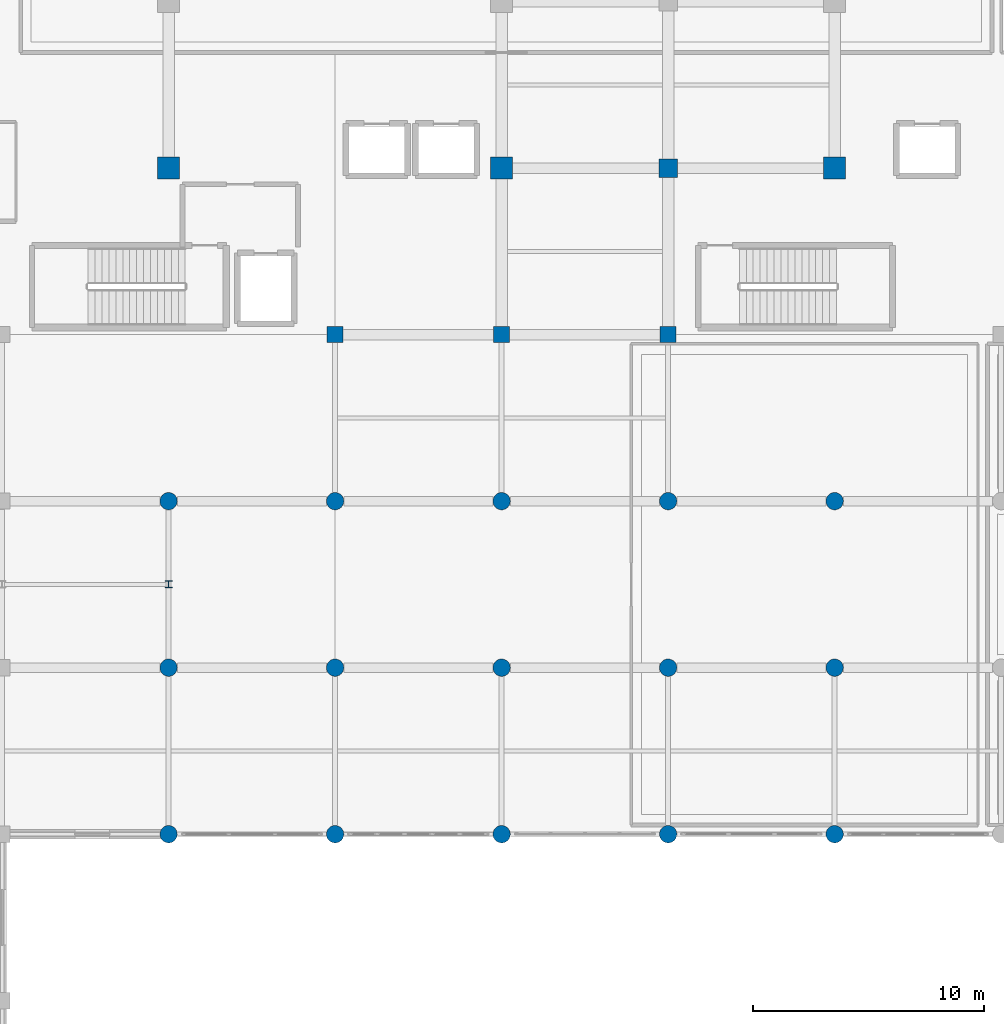
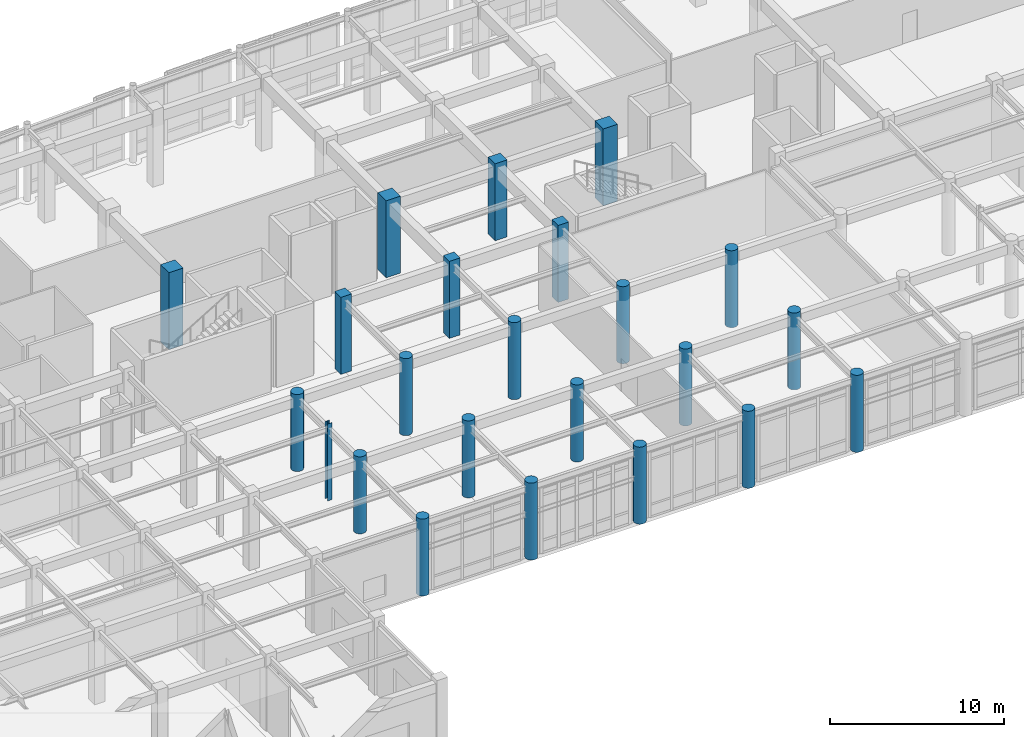
# One storey, part 9 of 102: 23 columns.
"""IFC4 building model written with IfcOpenShell, lengths in metres."""

import ifcopenshell
import ifcopenshell.guid

model = None  # the IFC model being written
_history = None  # IfcOwnerHistory: only IFC2X3 demands one
_inside = {}  # id of a spatial element -> (the spatial element, [elements in it])
_under = {}  # id of a project, library or spatial element -> (it, [spatial elements below it])
_declared = {}  # id of a project -> (the project, [libraries it declares])
_typed = {}  # id of a type object -> (the type object, [elements of that type])
_made_of = {}  # id of a material, layer set ... -> (it, [elements and type objects made of it])


def new_model(schema):
    """Start an empty IFC model of exactly this schema.

    Asked for "IFC4X3", IfcOpenShell would pick the latest addendum, in which some entities
    have other attributes; the version numbers below select the first issue.
    IFC2X3 requires an IfcOwnerHistory on every rooted entity: one is made here for all.
    """
    global model, _history
    if schema == "IFC4X3":
        model = ifcopenshell.file(schema_version=(4, 3, 0, 0))
    else:
        model = ifcopenshell.file(schema=schema)
    _inside.clear()
    _under.clear()
    _declared.clear()
    _typed.clear()
    _made_of.clear()
    _history = None
    if model.schema == "IFC2X3":
        org = make("IfcOrganization", Name="unknown")
        user = make(
            "IfcPersonAndOrganization",
            ThePerson=make("IfcPerson", FamilyName="unknown"),
            TheOrganization=org,
        )
        app = make(
            "IfcApplication",
            ApplicationDeveloper=org,
            Version="unknown",
            ApplicationFullName="unknown",
            ApplicationIdentifier="unknown",
        )
        _history = make(
            "IfcOwnerHistory",
            OwningUser=user,
            OwningApplication=app,
            ChangeAction="ADDED",
            CreationDate=0,
        )
    return model


def make(cls, **values):
    """One entity of the class cls with the attributes given. An attribute that is None is left unset."""
    return model.create_entity(
        cls, **{name: value for name, value in values.items() if value is not None}
    )


def rooted(cls, **values):
    """An entity with a GlobalId (a new one), such as an element, a storey or a relation."""
    return make(cls, GlobalId=ifcopenshell.guid.new(), OwnerHistory=_history, **values)


def si_unit(unit_type, name, prefix=None):
    """IfcSIUnit, for example si_unit("LENGTHUNIT", "METRE", prefix="MILLI")."""
    return make("IfcSIUnit", UnitType=unit_type, Prefix=prefix, Name=name)


def assignment(units):
    """IfcUnitAssignment: the units of a project."""
    return None if units is None else make("IfcUnitAssignment", Units=units)


def point(xyz):
    """IfcCartesianPoint."""
    return None if xyz is None else make("IfcCartesianPoint", Coordinates=xyz)


def direction(xyz):
    """IfcDirection."""
    return None if xyz is None else make("IfcDirection", DirectionRatios=xyz)


def frame(location, z_axis=None, x_axis=None):
    """IfcAxis2Placement3D, a coordinate frame: its origin and axes. An axis left out is left unset."""
    return make(
        "IfcAxis2Placement3D",
        Location=point(location),
        Axis=direction(z_axis),
        RefDirection=direction(x_axis),
    )


def frame_2d(location, x_axis=None):
    """IfcAxis2Placement2D, a coordinate frame in the plane: its origin and x axis."""
    return make(
        "IfcAxis2Placement2D", Location=point(location), RefDirection=direction(x_axis)
    )


def origin():
    """The frame at (0, 0, 0) with its axes left unset."""
    return frame((0.0, 0.0, 0.0))


def origin_2d():
    """The frame at (0, 0) in the plane with its x axis left unset."""
    return frame_2d((0.0, 0.0))


def place(relative_to, where):
    """IfcLocalPlacement: puts the frame where relative to a parent placement (None: the world)."""
    return make(
        "IfcLocalPlacement", PlacementRelTo=relative_to, RelativePlacement=where
    )


def context(
    kind, dimensions, precision=None, world=None, true_north=None, identifier=None
):
    """IfcGeometricRepresentationContext, for example the 3D "Model" context."""
    return make(
        "IfcGeometricRepresentationContext",
        ContextIdentifier=identifier,
        ContextType=kind,
        CoordinateSpaceDimension=dimensions,
        Precision=precision,
        WorldCoordinateSystem=world,
        TrueNorth=true_north,
    )


def subcontext(parent, identifier, kind, view, scale=None):
    """IfcGeometricRepresentationSubContext, for example "Body" below "Model"."""
    return make(
        "IfcGeometricRepresentationSubContext",
        ContextIdentifier=identifier,
        ContextType=kind,
        ParentContext=parent,
        TargetScale=scale,
        TargetView=view,
    )


def project(units=None, contexts=None):
    """IfcProject with its units and contexts."""
    return rooted(
        "IfcProject",
        Name="project",
        RepresentationContexts=contexts,
        UnitsInContext=assignment(units),
    )


def spatial(cls, under=None, at=None, **own):
    """A site, building, storey or space (cls), placed at a placement, below another one or the project."""
    s = rooted(cls, ObjectPlacement=at, **own)
    if under is not None:
        _under.setdefault(under.id(), (under, []))[1].append(s)
    return s


def profile(cls, at=None, kind="AREA", **sizes):
    """A parametric profile (cls). Its sizes go by their IFC names, for example OverallWidth=200.0."""
    return make(cls, ProfileType=kind, Position=at, **sizes)


def rectangle(**sizes):
    """IfcRectangleProfileDef."""
    return profile("IfcRectangleProfileDef", **sizes)


def circle(**sizes):
    """IfcCircleProfileDef."""
    return profile("IfcCircleProfileDef", **sizes)


def i_section(**sizes):
    """IfcIShapeProfileDef."""
    return profile("IfcIShapeProfileDef", **sizes)


def extrude(swept, where, along, depth):
    """IfcExtrudedAreaSolid: the profile swept, set in the frame where, extruded along a direction by depth."""
    return make(
        "IfcExtrudedAreaSolid",
        SweptArea=swept,
        Position=where,
        ExtrudedDirection=direction(along),
        Depth=depth,
    )


def shape(context_of_items, identifier, shape_type, items):
    """IfcShapeRepresentation: the items that make up one representation, for example the "Body"."""
    return make(
        "IfcShapeRepresentation",
        ContextOfItems=context_of_items,
        RepresentationIdentifier=identifier,
        RepresentationType=shape_type,
        Items=items,
    )


def material(Name=None, Category=None):
    """IfcMaterial."""
    return make("IfcMaterial", Name=Name, Category=Category)


def material_profile(
    of_material, cross_section, Name=None, Category=None, Priority=None
):
    """IfcMaterialProfile: a cross section and its material."""
    return make(
        "IfcMaterialProfile",
        Name=Name,
        Material=of_material,
        Profile=cross_section,
        Priority=Priority,
        Category=Category,
    )


def profile_set(profiles, Name=None, composite=None):
    """IfcMaterialProfileSet."""
    return make(
        "IfcMaterialProfileSet",
        Name=Name,
        MaterialProfiles=profiles,
        CompositeProfile=composite,
    )


def made_of(thing, what):
    """Note that an element or type object is made of a material, layer set ...; save() writes the relation."""
    if what is not None:
        _made_of.setdefault(what.id(), (what, []))[1].append(thing)
    return thing


def type_object(cls, material=None, **own):
    """A type object (cls), such as IfcWallType, which elements share."""
    return made_of(rooted(cls, **own), material)


def element(
    cls,
    number,
    at=None,
    inside=None,
    cuts=None,
    type_object=None,
    material=None,
    context=None,
    identifier="Body",
    shape_type=None,
    held_by="IfcProductDefinitionShape",
    body=None,
    shapes=None,
    **own,
):
    """One element of the class cls, such as IfcWall. Its Tag is "e" and its number.

    at: its placement. inside: the storey or other place that contains it. cuts: it is an
    opening in that element (IfcRelVoidsElement). A single representation is given by context,
    identifier, shape_type and body (its items); several are given by shapes. held_by: the class
    of the entity that holds the representations. save() writes the other relations.
    """
    e = rooted(cls, Tag="e%d" % number, ObjectPlacement=at, **own)
    if body is not None:
        shapes = [shape(context, identifier, shape_type, body)]
    if shapes is not None:
        e.Representation = make(held_by, Representations=shapes)
    if inside is not None:
        _inside.setdefault(inside.id(), (inside, []))[1].append(e)
    if cuts is not None:
        rooted(
            "IfcRelVoidsElement", RelatingBuildingElement=cuts, RelatedOpeningElement=e
        )
    if type_object is not None:
        _typed.setdefault(type_object.id(), (type_object, []))[1].append(e)
    return made_of(e, material)


def aggregate(whole, parts):
    """IfcRelAggregates: a whole, such as a stair, and the parts it consists of."""
    return rooted("IfcRelAggregates", RelatingObject=whole, RelatedObjects=parts)


def save(model, path):
    """Write the relations noted so far, then the file.

    IfcRelAggregates (storeys below a building ...), IfcRelContainedInSpatialStructure (elements
    in a storey), IfcRelDefinesByType, IfcRelAssociatesMaterial and IfcRelDeclares: one each for
    every whole, place, type object, material and project.
    """
    for whole, parts in _under.values():
        aggregate(whole, parts)
    for where, things in _inside.values():
        rooted(
            "IfcRelContainedInSpatialStructure",
            RelatedElements=things,
            RelatingStructure=where,
        )
    for kind, things in _typed.values():
        rooted("IfcRelDefinesByType", RelatedObjects=things, RelatingType=kind)
    for what, things in _made_of.values():
        rooted("IfcRelAssociatesMaterial", RelatedObjects=things, RelatingMaterial=what)
    for by, libraries in _declared.values():
        rooted("IfcRelDeclares", RelatingContext=by, RelatedDefinitions=libraries)
    model.write(path)


model = new_model("IFC4")

# Units and contexts
model_context = context("Model", 3, precision=1e-05, world=origin(), true_north=direction((0.0, 1.0)))
body_context = subcontext(model_context, "Body", "Model", "MODEL_VIEW")
ifc_project = project(units=[si_unit("LENGTHUNIT", "METRE"), si_unit("AREAUNIT", "SQUARE_METRE"), si_unit("VOLUMEUNIT", "CUBIC_METRE"), si_unit("PLANEANGLEUNIT", "RADIAN"), si_unit("MASSUNIT", "GRAM", prefix="KILO")], contexts=[model_context])

# Site, building, storey
site_placement = place(None, origin())
site = spatial("IfcSite", under=ifc_project, at=site_placement, CompositionType="ELEMENT")
building_placement = place(site_placement, origin())
building = spatial("IfcBuilding", under=site, at=building_placement, Name="Carrowvane Square Congress Hotel", CompositionType="ELEMENT")
storey_placement = place(building_placement, origin())
storey = spatial("IfcBuildingStorey", under=building, at=storey_placement, Name="L00", CompositionType="ELEMENT", Elevation=0.0)

# Columns
ifc_material_1 = material(Name="Concrete C40/50", Category="concrete")
ifc_material_profile_1 = material_profile(ifc_material_1, rectangle(XDim=0.699951171875, YDim=0.699951171875, at=origin_2d()), Name="RC 700x700")
ifc_profile_set_1 = profile_set([ifc_material_profile_1], Name="Concrete C40/50")
column_type_1 = type_object("IfcColumnType", Name="COL-RC-700", PredefinedType="COLUMN", material=ifc_profile_set_1)
for number, where, z_axis, x_axis, name in (
    (1, (83.60009765625, 91.800048828125, 0.0), (0.0, 0.0, 1.0), (1.0, 0.0, 0.0), "L00 column 11/N"),
    (2, (90.800048828125, 91.800048828125, 0.0), (0.0, 0.0, 1.0), (1.0, 0.0, 0.0), "L00 column 12/N"),
    (3, (98.0, 91.800048828125, 0.0), (0.0, 0.0, 1.0), (1.0, 0.0, 0.0), "L00 column 13/N"),
):
    element("IfcColumn", number, at=place(storey_placement, frame(where, z_axis=z_axis, x_axis=x_axis)), inside=storey, type_object=column_type_1, Name=name, PredefinedType="COLUMN", context=body_context, shape_type="SweptSolid", body=[
        extrude(rectangle(XDim=0.699951171875, YDim=0.699951171875, at=origin_2d()), origin(), (0.0, 0.0, 1.0), 5.39990234375),
    ])
ifc_material_2 = material(Name="Concrete C40/50", Category="concrete")
ifc_material_profile_2 = material_profile(ifc_material_2, rectangle(XDim=0.800048828125, YDim=0.800048828125, at=origin_2d()), Name="RC 800x800")
ifc_profile_set_2 = profile_set([ifc_material_profile_2], Name="Concrete C40/50")
column_type_2 = type_object("IfcColumnType", Name="COL-RC-800", PredefinedType="COLUMN", material=ifc_profile_set_2)
column_1_placement = place(storey_placement, frame((98.0, 99.0, 0.0), z_axis=(0.0, 0.0, 1.0), x_axis=(1.0, 0.0, 0.0)))
element("IfcColumn", 4, at=column_1_placement, inside=storey, type_object=column_type_2, Name="L00 column 13/P", PredefinedType="COLUMN", context=body_context, shape_type="SweptSolid", body=[
    extrude(rectangle(XDim=0.800048828125, YDim=0.800048828125, at=origin_2d()), origin(), (0.0, 0.0, 1.0), 5.39990234375),
])
ifc_material_3 = material(Name="Concrete C40/50", Category="concrete")
ifc_material_profile_3 = material_profile(ifc_material_3, circle(Radius=0.375, at=origin_2d()), Name="RC D750")
ifc_profile_set_3 = profile_set([ifc_material_profile_3], Name="Concrete C40/50")
column_type_3 = type_object("IfcColumnType", Name="COL-RC-D750", PredefinedType="COLUMN", material=ifc_profile_set_3)
for number, where, z_axis, x_axis, name in (
    (5, (76.39990234375, 70.199951171875, 0.0), (0.0, 0.0, 1.0), (1.0, 0.0, 0.0), "L00 column 10/K"),
    (6, (76.39990234375, 77.39990234375, 0.0), (0.0, 0.0, 1.0), (1.0, 0.0, 0.0), "L00 column 10/L"),
    (7, (76.39990234375, 84.60009765625, 0.0), (0.0, 0.0, 1.0), (1.0, 0.0, 0.0), "L00 column 10/M"),
    (8, (83.60009765625, 70.199951171875, 0.0), (0.0, 0.0, 1.0), (1.0, 0.0, 0.0), "L00 column 11/K"),
    (9, (83.60009765625, 77.39990234375, 0.0), (0.0, 0.0, 1.0), (1.0, 0.0, 0.0), "L00 column 11/L"),
    (10, (83.60009765625, 84.60009765625, 0.0), (0.0, 0.0, 1.0), (1.0, 0.0, 0.0), "L00 column 11/M"),
    (11, (90.800048828125, 70.199951171875, 0.0), (0.0, 0.0, 1.0), (1.0, 0.0, 0.0), "L00 column 12/K"),
    (12, (90.800048828125, 77.39990234375, 0.0), (0.0, 0.0, 1.0), (1.0, 0.0, 0.0), "L00 column 12/L"),
    (13, (90.800048828125, 84.60009765625, 0.0), (0.0, 0.0, 1.0), (1.0, 0.0, 0.0), "L00 column 12/M"),
    (14, (98.0, 70.199951171875, 0.0), (0.0, 0.0, 1.0), (1.0, 0.0, 0.0), "L00 column 13/K"),
    (15, (98.0, 77.39990234375, 0.0), (0.0, 0.0, 1.0), (1.0, 0.0, 0.0), "L00 column 13/L"),
    (16, (98.0, 84.60009765625, 0.0), (0.0, 0.0, 1.0), (1.0, 0.0, 0.0), "L00 column 13/M"),
    (17, (105.199951171875, 70.199951171875, 0.0), (0.0, 0.0, 1.0), (1.0, 0.0, 0.0), "L00 column 14/K"),
    (18, (105.199951171875, 77.39990234375, 0.0), (0.0, 0.0, 1.0), (1.0, 0.0, 0.0), "L00 column 14/L"),
    (19, (105.199951171875, 84.60009765625, 0.0), (0.0, 0.0, 1.0), (1.0, 0.0, 0.0), "L00 column 14/M"),
):
    element("IfcColumn", number, at=place(storey_placement, frame(where, z_axis=z_axis, x_axis=x_axis)), inside=storey, type_object=column_type_3, Name=name, PredefinedType="COLUMN", context=body_context, shape_type="SweptSolid", body=[
        extrude(circle(Radius=0.375, at=origin_2d()), origin(), (0.0, 0.0, 1.0), 5.39990234375),
    ])
ifc_material_4 = material(Name="Steel S355", Category="steel")
ifc_material_profile_4 = material_profile(ifc_material_4, i_section(OverallWidth=0.300048828125, OverallDepth=0.300048828125, WebThickness=0.010986328125, FlangeThickness=0.01904296875, FilletRadius=0.027099609375, at=origin_2d()), Name="HEB 300")
ifc_profile_set_4 = profile_set([ifc_material_profile_4], Name="Steel S355")
column_type_4 = type_object("IfcColumnType", Name="COL-ST-HEB300", PredefinedType="COLUMN", material=ifc_profile_set_4)
column_2_placement = place(storey_placement, frame((76.39990234375, 81.0, 0.0), z_axis=(0.0, 0.0, 1.0), x_axis=(1.0, 0.0, 0.0)))
element("IfcColumn", 20, at=column_2_placement, inside=storey, type_object=column_type_4, Name="L00 column V6X76/RG", PredefinedType="COLUMN", context=body_context, shape_type="SweptSolid", body=[
    extrude(i_section(OverallWidth=0.300048828125, OverallDepth=0.300048828125, WebThickness=0.010986328125, FlangeThickness=0.01904296875, FilletRadius=0.027099609375, at=origin_2d()), origin(), (0.0, 0.0, 1.0), 5.39990234375),
])
ifc_material_5 = material(Name="Concrete C40/50", Category="concrete")
ifc_material_profile_5 = material_profile(ifc_material_5, rectangle(XDim=0.949951171875, YDim=0.949951171875, at=origin_2d()), Name="RC 950x950")
ifc_profile_set_5 = profile_set([ifc_material_profile_5], Name="Concrete C40/50")
column_type_5 = type_object("IfcColumnType", Name="MCOL-RC-1000", PredefinedType="COLUMN", material=ifc_profile_set_5)
for number, where, z_axis, x_axis, name in (
    (21, (76.39990234375, 99.0, 0.0), (0.0, 0.0, 1.0), (1.0, 0.0, 0.0), "L00 column 10/P"),
    (22, (90.800048828125, 99.0, 0.0), (0.0, 0.0, 1.0), (1.0, 0.0, 0.0), "L00 column 12/P"),
    (23, (105.199951171875, 99.0, 0.0), (0.0, 0.0, 1.0), (1.0, 0.0, 0.0), "L00 column 14/P"),
):
    element("IfcColumn", number, at=place(storey_placement, frame(where, z_axis=z_axis, x_axis=x_axis)), inside=storey, type_object=column_type_5, Name=name, PredefinedType="COLUMN", context=body_context, shape_type="SweptSolid", body=[
        extrude(rectangle(XDim=0.949951171875, YDim=0.949951171875, at=origin_2d()), origin(), (0.0, 0.0, 1.0), 5.39990234375),
    ])

save(model, "model.ifc")
